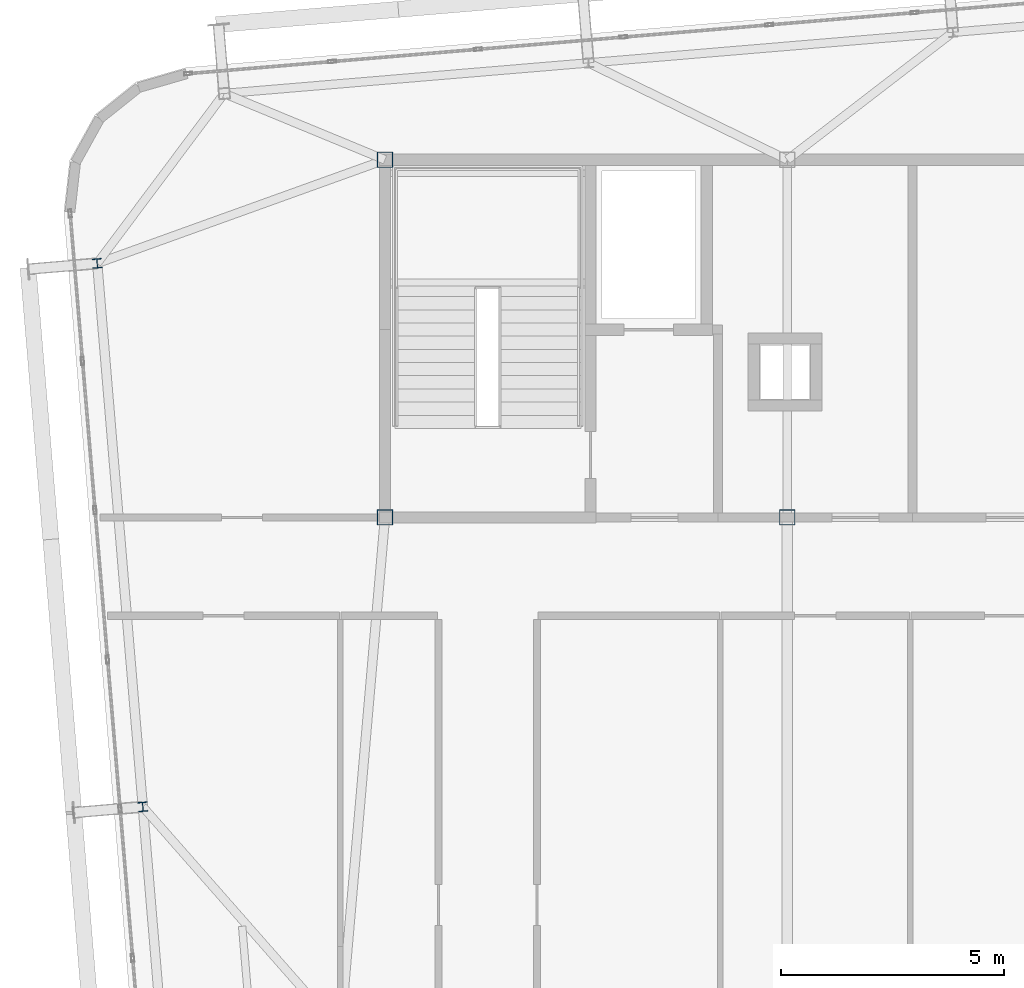
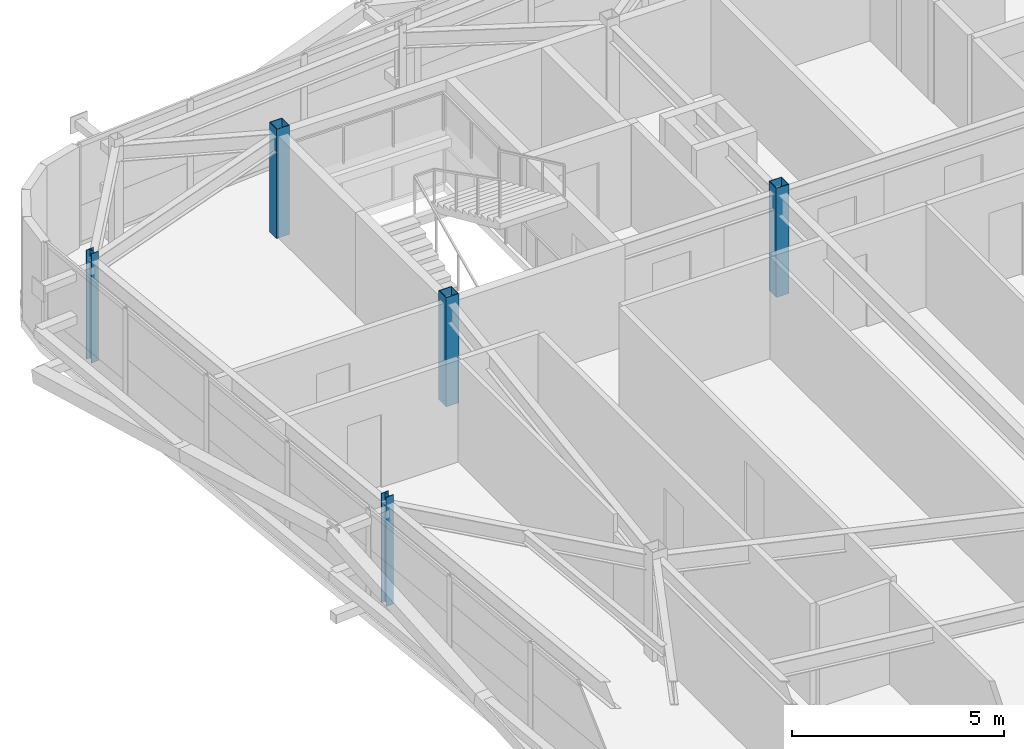
# One storey, part 2 of 44: 5 columns.
"""IFC4 building model written with IfcOpenShell, lengths in metres."""

from ifc_helpers import new_model, si_unit, direction, frame, origin, origin_2d, place, context, subcontext, project, spatial, hollow_rectangle, i_section, extrude, source, transform, mapped, material, material_profile, profile_set, type_object, element, save


model = new_model("IFC4")

# Units and contexts
model_context = context("Model", 3, precision=1e-05, world=origin(), true_north=direction((0.0, 1.0)))
body_context = subcontext(model_context, "Body", "Model", "MODEL_VIEW")
ifc_project = project(units=[si_unit("LENGTHUNIT", "METRE"), si_unit("AREAUNIT", "SQUARE_METRE"), si_unit("VOLUMEUNIT", "CUBIC_METRE"), si_unit("PLANEANGLEUNIT", "RADIAN"), si_unit("MASSUNIT", "GRAM", prefix="KILO")], contexts=[model_context])

# Site, building, storey
site_placement = place(None, origin())
site = spatial("IfcSite", under=ifc_project, at=site_placement, CompositionType="ELEMENT")
building_placement = place(site_placement, origin())
building = spatial("IfcBuilding", under=site, at=building_placement, Name="Taldren Reach Tower", CompositionType="ELEMENT")
storey_placement = place(building_placement, frame((0.0, 0.0, 191.449951171875)))
storey = spatial("IfcBuildingStorey", under=building, at=storey_placement, Name="L58", CompositionType="ELEMENT", Elevation=191.449951171875)

# Columns
ifc_material_1 = material(Name="Steel Gr 450 (C450L0)", Category="steel")
ifc_material_profile_1 = material_profile(ifc_material_1, hollow_rectangle(XDim=0.35009765625, YDim=0.35009765625, WallThickness=0.01611328125, at=origin_2d()), Name="350x350x16.0SHS")
ifc_profile_set_1 = profile_set([ifc_material_profile_1], Name="Steel Gr 450 (C450L0)")
column_type_1 = type_object("IfcColumnType", Name="COL-SHS350", PredefinedType="COLUMN", material=ifc_profile_set_1)
shared_shape_1 = source(origin(), body_context, "Body", "SweptSolid", [
    extrude(hollow_rectangle(XDim=0.35009765625, YDim=0.35009765625, WallThickness=0.01611328125, at=origin_2d()), origin(), (0.0, 0.0, 1.0), 3.150146484375),
])
for number, where, z_axis, x_axis, name in (
    (1, (19.0, 24.0, 0.0), (0.0, 0.0, 1.0), (1.0, 0.0, 0.0), "Mega column MC-C1 L58"),
    (2, (28.0, 24.0, 0.0), (0.0, 0.0, 1.0), (1.0, 0.0, 0.0), "Mega column MC-C2 L58"),
    (3, (19.0, 32.0, 0.0), (0.0, 0.0, 1.0), (1.0, 0.0, 0.0), "Mega column MC-C5 L58"),
):
    element("IfcColumn", number, at=place(storey_placement, frame(where, z_axis=z_axis, x_axis=x_axis)), inside=storey, type_object=column_type_1, Name=name, PredefinedType="COLUMN", context=body_context, shape_type="MappedRepresentation", body=[
        mapped(shared_shape_1, transform((0.0, 0.0, 0.0), scale=1.0)),
    ])
ifc_material_2 = material(Name="Steel Gr 350 (350PLUS)", Category="steel")
ifc_material_profile_2 = material_profile(ifc_material_2, i_section(OverallWidth=0.205078125, OverallDepth=0.2099609375, WebThickness=0.00927734375, FlangeThickness=0.01416015625, at=origin_2d()), Name="200UC59.5")
ifc_profile_set_2 = profile_set([ifc_material_profile_2], Name="Steel Gr 350 (350PLUS)")
column_type_2 = type_object("IfcColumnType", Name="COL-UC200", PredefinedType="COLUMN", material=ifc_profile_set_2)
shared_shape_2 = source(origin(), body_context, "Body", "SweptSolid", [
    extrude(i_section(OverallWidth=0.205078125, OverallDepth=0.2099609375, WebThickness=0.00927734375, FlangeThickness=0.01416015625, at=origin_2d()), origin(), (0.0, 0.0, 1.0), 3.150146484375),
])
for number, where, z_axis, x_axis, name in (
    (4, (13.582763671875, 17.525146484375, 0.0), (0.0, 0.0, 1.0), (0.99649285925, 0.083677843332, 0.0), "Block B4 perimeter column W2 L58"),
    (5, (12.56201171875, 29.682373046875, 0.0), (0.0, 0.0, 1.0), (0.99649285925, 0.083677843332, 0.0), "Block B4 perimeter column W3 L58"),
):
    element("IfcColumn", number, at=place(storey_placement, frame(where, z_axis=z_axis, x_axis=x_axis)), inside=storey, type_object=column_type_2, Name=name, PredefinedType="COLUMN", context=body_context, shape_type="MappedRepresentation", body=[
        mapped(shared_shape_2, transform((0.0, 0.0, 0.0), scale=1.0)),
    ])

save(model, "model.ifc")
